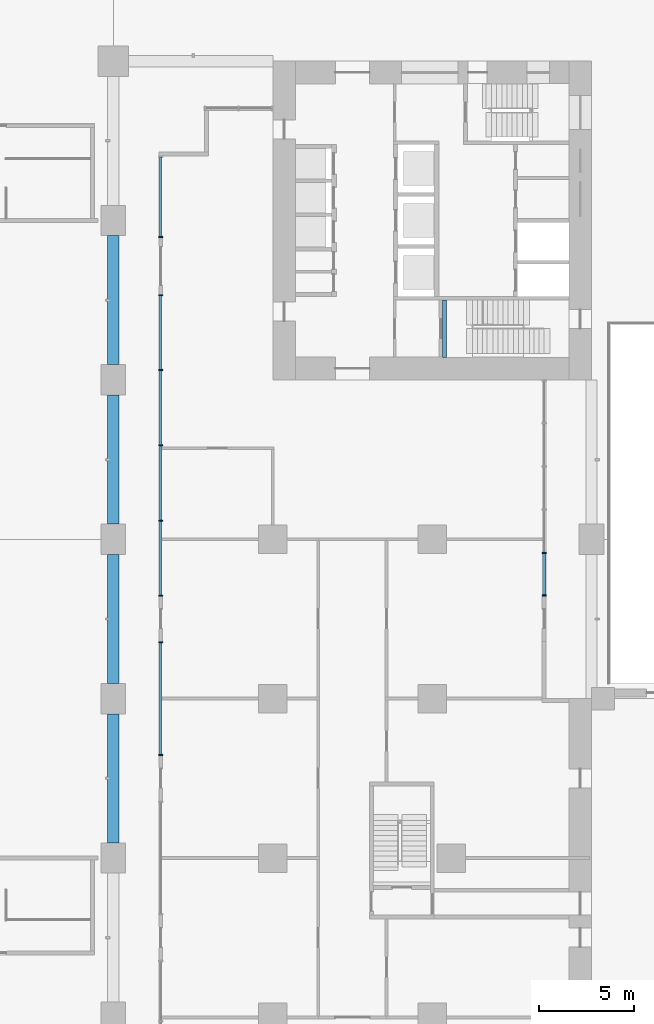
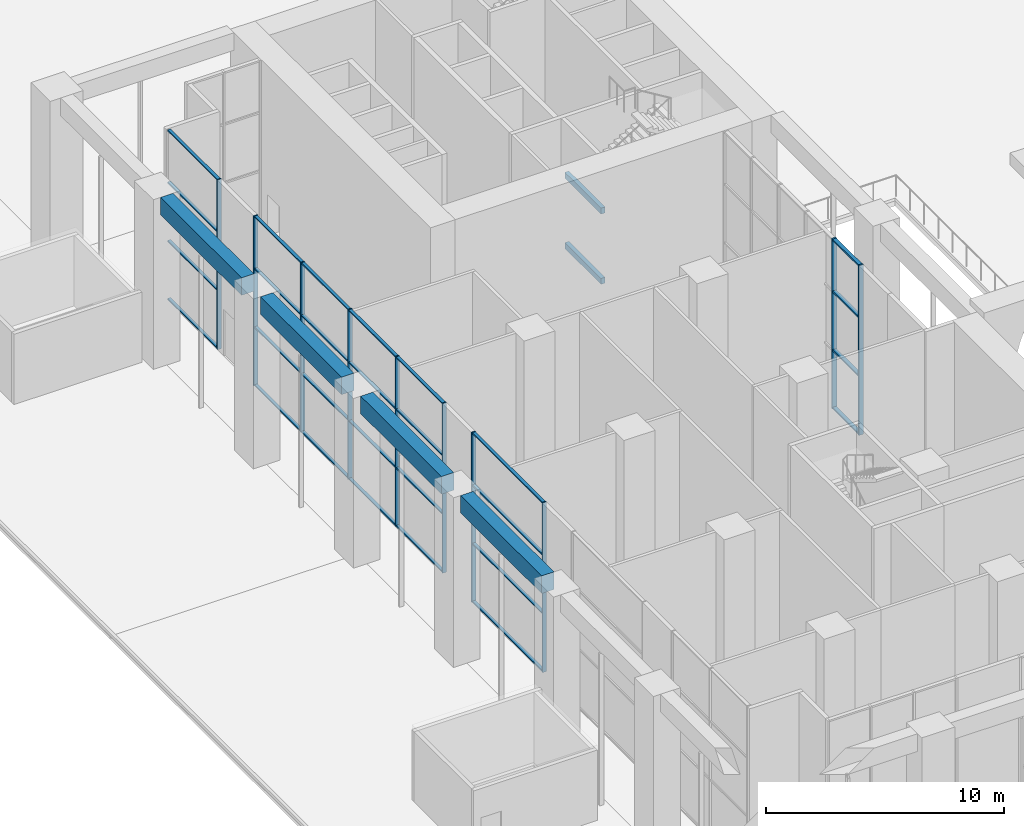
# One storey, part 5 of 46: 38 members, 6 beams, 4 elements without a shape of their own.
"""IFC4 building model written with IfcOpenShell, lengths in metres."""

import ifcopenshell
import ifcopenshell.guid

model = None  # the IFC model being written
_history = None  # IfcOwnerHistory: only IFC2X3 demands one
_inside = {}  # id of a spatial element -> (the spatial element, [elements in it])
_under = {}  # id of a project, library or spatial element -> (it, [spatial elements below it])
_declared = {}  # id of a project -> (the project, [libraries it declares])
_typed = {}  # id of a type object -> (the type object, [elements of that type])
_made_of = {}  # id of a material, layer set ... -> (it, [elements and type objects made of it])


def new_model(schema):
    """Start an empty IFC model of exactly this schema.

    Asked for "IFC4X3", IfcOpenShell would pick the latest addendum, in which some entities
    have other attributes; the version numbers below select the first issue.
    IFC2X3 requires an IfcOwnerHistory on every rooted entity: one is made here for all.
    """
    global model, _history
    if schema == "IFC4X3":
        model = ifcopenshell.file(schema_version=(4, 3, 0, 0))
    else:
        model = ifcopenshell.file(schema=schema)
    _inside.clear()
    _under.clear()
    _declared.clear()
    _typed.clear()
    _made_of.clear()
    _history = None
    if model.schema == "IFC2X3":
        org = make("IfcOrganization", Name="unknown")
        user = make(
            "IfcPersonAndOrganization",
            ThePerson=make("IfcPerson", FamilyName="unknown"),
            TheOrganization=org,
        )
        app = make(
            "IfcApplication",
            ApplicationDeveloper=org,
            Version="unknown",
            ApplicationFullName="unknown",
            ApplicationIdentifier="unknown",
        )
        _history = make(
            "IfcOwnerHistory",
            OwningUser=user,
            OwningApplication=app,
            ChangeAction="ADDED",
            CreationDate=0,
        )
    return model


def make(cls, **values):
    """One entity of the class cls with the attributes given. An attribute that is None is left unset."""
    return model.create_entity(
        cls, **{name: value for name, value in values.items() if value is not None}
    )


def rooted(cls, **values):
    """An entity with a GlobalId (a new one), such as an element, a storey or a relation."""
    return make(cls, GlobalId=ifcopenshell.guid.new(), OwnerHistory=_history, **values)


def si_unit(unit_type, name, prefix=None):
    """IfcSIUnit, for example si_unit("LENGTHUNIT", "METRE", prefix="MILLI")."""
    return make("IfcSIUnit", UnitType=unit_type, Prefix=prefix, Name=name)


def assignment(units):
    """IfcUnitAssignment: the units of a project."""
    return None if units is None else make("IfcUnitAssignment", Units=units)


def point(xyz):
    """IfcCartesianPoint."""
    return None if xyz is None else make("IfcCartesianPoint", Coordinates=xyz)


def direction(xyz):
    """IfcDirection."""
    return None if xyz is None else make("IfcDirection", DirectionRatios=xyz)


def frame(location, z_axis=None, x_axis=None):
    """IfcAxis2Placement3D, a coordinate frame: its origin and axes. An axis left out is left unset."""
    return make(
        "IfcAxis2Placement3D",
        Location=point(location),
        Axis=direction(z_axis),
        RefDirection=direction(x_axis),
    )


def frame_2d(location, x_axis=None):
    """IfcAxis2Placement2D, a coordinate frame in the plane: its origin and x axis."""
    return make(
        "IfcAxis2Placement2D", Location=point(location), RefDirection=direction(x_axis)
    )


def origin():
    """The frame at (0, 0, 0) with its axes left unset."""
    return frame((0.0, 0.0, 0.0))


def origin_2d():
    """The frame at (0, 0) in the plane with its x axis left unset."""
    return frame_2d((0.0, 0.0))


def place(relative_to, where):
    """IfcLocalPlacement: puts the frame where relative to a parent placement (None: the world)."""
    return make(
        "IfcLocalPlacement", PlacementRelTo=relative_to, RelativePlacement=where
    )


def context(
    kind, dimensions, precision=None, world=None, true_north=None, identifier=None
):
    """IfcGeometricRepresentationContext, for example the 3D "Model" context."""
    return make(
        "IfcGeometricRepresentationContext",
        ContextIdentifier=identifier,
        ContextType=kind,
        CoordinateSpaceDimension=dimensions,
        Precision=precision,
        WorldCoordinateSystem=world,
        TrueNorth=true_north,
    )


def subcontext(parent, identifier, kind, view, scale=None):
    """IfcGeometricRepresentationSubContext, for example "Body" below "Model"."""
    return make(
        "IfcGeometricRepresentationSubContext",
        ContextIdentifier=identifier,
        ContextType=kind,
        ParentContext=parent,
        TargetScale=scale,
        TargetView=view,
    )


def project(units=None, contexts=None):
    """IfcProject with its units and contexts."""
    return rooted(
        "IfcProject",
        Name="project",
        RepresentationContexts=contexts,
        UnitsInContext=assignment(units),
    )


def spatial(cls, under=None, at=None, **own):
    """A site, building, storey or space (cls), placed at a placement, below another one or the project."""
    s = rooted(cls, ObjectPlacement=at, **own)
    if under is not None:
        _under.setdefault(under.id(), (under, []))[1].append(s)
    return s


def profile(cls, at=None, kind="AREA", **sizes):
    """A parametric profile (cls). Its sizes go by their IFC names, for example OverallWidth=200.0."""
    return make(cls, ProfileType=kind, Position=at, **sizes)


def rectangle(**sizes):
    """IfcRectangleProfileDef."""
    return profile("IfcRectangleProfileDef", **sizes)


def extrude(swept, where, along, depth):
    """IfcExtrudedAreaSolid: the profile swept, set in the frame where, extruded along a direction by depth."""
    return make(
        "IfcExtrudedAreaSolid",
        SweptArea=swept,
        Position=where,
        ExtrudedDirection=direction(along),
        Depth=depth,
    )


def shape(context_of_items, identifier, shape_type, items):
    """IfcShapeRepresentation: the items that make up one representation, for example the "Body"."""
    return make(
        "IfcShapeRepresentation",
        ContextOfItems=context_of_items,
        RepresentationIdentifier=identifier,
        RepresentationType=shape_type,
        Items=items,
    )


def material(Name=None, Category=None):
    """IfcMaterial."""
    return make("IfcMaterial", Name=Name, Category=Category)


def material_profile(
    of_material, cross_section, Name=None, Category=None, Priority=None
):
    """IfcMaterialProfile: a cross section and its material."""
    return make(
        "IfcMaterialProfile",
        Name=Name,
        Material=of_material,
        Profile=cross_section,
        Priority=Priority,
        Category=Category,
    )


def profile_set(profiles, Name=None, composite=None):
    """IfcMaterialProfileSet."""
    return make(
        "IfcMaterialProfileSet",
        Name=Name,
        MaterialProfiles=profiles,
        CompositeProfile=composite,
    )


def made_of(thing, what):
    """Note that an element or type object is made of a material, layer set ...; save() writes the relation."""
    if what is not None:
        _made_of.setdefault(what.id(), (what, []))[1].append(thing)
    return thing


def type_object(cls, material=None, **own):
    """A type object (cls), such as IfcWallType, which elements share."""
    return made_of(rooted(cls, **own), material)


def element(
    cls,
    number,
    at=None,
    inside=None,
    cuts=None,
    type_object=None,
    material=None,
    context=None,
    identifier="Body",
    shape_type=None,
    held_by="IfcProductDefinitionShape",
    body=None,
    shapes=None,
    **own,
):
    """One element of the class cls, such as IfcWall. Its Tag is "e" and its number.

    at: its placement. inside: the storey or other place that contains it. cuts: it is an
    opening in that element (IfcRelVoidsElement). A single representation is given by context,
    identifier, shape_type and body (its items); several are given by shapes. held_by: the class
    of the entity that holds the representations. save() writes the other relations.
    """
    e = rooted(cls, Tag="e%d" % number, ObjectPlacement=at, **own)
    if body is not None:
        shapes = [shape(context, identifier, shape_type, body)]
    if shapes is not None:
        e.Representation = make(held_by, Representations=shapes)
    if inside is not None:
        _inside.setdefault(inside.id(), (inside, []))[1].append(e)
    if cuts is not None:
        rooted(
            "IfcRelVoidsElement", RelatingBuildingElement=cuts, RelatedOpeningElement=e
        )
    if type_object is not None:
        _typed.setdefault(type_object.id(), (type_object, []))[1].append(e)
    return made_of(e, material)


def aggregate(whole, parts):
    """IfcRelAggregates: a whole, such as a stair, and the parts it consists of."""
    return rooted("IfcRelAggregates", RelatingObject=whole, RelatedObjects=parts)


def save(model, path):
    """Write the relations noted so far, then the file.

    IfcRelAggregates (storeys below a building ...), IfcRelContainedInSpatialStructure (elements
    in a storey), IfcRelDefinesByType, IfcRelAssociatesMaterial and IfcRelDeclares: one each for
    every whole, place, type object, material and project.
    """
    for whole, parts in _under.values():
        aggregate(whole, parts)
    for where, things in _inside.values():
        rooted(
            "IfcRelContainedInSpatialStructure",
            RelatedElements=things,
            RelatingStructure=where,
        )
    for kind, things in _typed.values():
        rooted("IfcRelDefinesByType", RelatedObjects=things, RelatingType=kind)
    for what, things in _made_of.values():
        rooted("IfcRelAssociatesMaterial", RelatedObjects=things, RelatingMaterial=what)
    for by, libraries in _declared.values():
        rooted("IfcRelDeclares", RelatingContext=by, RelatedDefinitions=libraries)
    model.write(path)


model = new_model("IFC4")

# Units and contexts
model_context = context("Model", 3, precision=1e-05, world=origin(), true_north=direction((0.0, 1.0)))
body_context = subcontext(model_context, "Body", "Model", "MODEL_VIEW")
ifc_project = project(units=[si_unit("LENGTHUNIT", "METRE"), si_unit("AREAUNIT", "SQUARE_METRE"), si_unit("VOLUMEUNIT", "CUBIC_METRE"), si_unit("PLANEANGLEUNIT", "RADIAN"), si_unit("MASSUNIT", "GRAM", prefix="KILO")], contexts=[model_context])

# Site, building, storey
site_placement = place(None, origin())
site = spatial("IfcSite", under=ifc_project, at=site_placement, CompositionType="ELEMENT")
building_placement = place(site_placement, origin())
building = spatial("IfcBuilding", under=site, at=building_placement, Name="Vermilion Gate Residences", CompositionType="ELEMENT")
storey_placement = place(building_placement, origin())
storey = spatial("IfcBuildingStorey", under=building, at=storey_placement, Name="L00", CompositionType="ELEMENT", Elevation=0.0)

# Curtain wall, members
ifc_material_1 = material(Name="Aluminium and glass", Category="aluminium")
curtain_wall_type_1 = type_object("IfcCurtainWallType", Name="LOBBY ENTRANCE GLAZING CURTAIN WALL", PredefinedType="NOTDEFINED", material=ifc_material_1)
curtain_wall_1_placement = place(storey_placement, origin())
curtain_wall_1 = element("IfcCurtainWall", 1, at=curtain_wall_1_placement, inside=storey, type_object=curtain_wall_type_1, Name="Lobby Entrance Glazing 82", PredefinedType="NOTDEFINED")
ifc_material_2 = material(Name="Aluminium", Category="aluminium")
ifc_material_profile_1 = material_profile(ifc_material_2, rectangle(XDim=0.219970703125, YDim=0.080078125, at=origin_2d()), Name="MULLION 80 X 220")
ifc_profile_set_1 = profile_set([ifc_material_profile_1], Name="Aluminium")
member_type_1 = type_object("IfcMemberType", Name="LOBBY ENTRANCE GLAZING MULLION 80 X 220", PredefinedType="MULLION", material=ifc_profile_set_1)
member_1_placement = place(storey_placement, frame((22.699951171875, 30.639892578125, 0.0), z_axis=(0.0, 0.0, 1.0), x_axis=(-1.0, 0.0, 0.0)))
member_1 = element("IfcMember", 2, at=member_1_placement, type_object=member_type_1, Name="ECW5 mullion 1", PredefinedType="MULLION", context=body_context, shape_type="SweptSolid", body=[
    extrude(rectangle(XDim=0.219970703125, YDim=0.080078125, at=origin_2d()), origin(), (0.0, 0.0, 1.0), 8.699951171875),
])
member_2_placement = place(storey_placement, frame((22.699951171875, 32.8798828125, 0.0), z_axis=(0.0, 0.0, 1.0), x_axis=(-1.0, 0.0, 0.0)))
member_2 = element("IfcMember", 3, at=member_2_placement, type_object=member_type_1, Name="ECW5 mullion 2", PredefinedType="MULLION", context=body_context, shape_type="SweptSolid", body=[
    extrude(rectangle(XDim=0.219970703125, YDim=0.080078125, at=origin_2d()), origin(), (0.0, 0.0, 1.0), 8.699951171875),
])
ifc_material_3 = material(Name="Aluminium", Category="aluminium")
ifc_material_profile_2 = material_profile(ifc_material_3, rectangle(XDim=0.179931640625, YDim=0.080078125, at=origin_2d()), Name="TRANSOM 80 X 180")
ifc_profile_set_2 = profile_set([ifc_material_profile_2], Name="Aluminium")
member_type_2 = type_object("IfcMemberType", Name="LOBBY ENTRANCE GLAZING TRANSOM 80 X 180", PredefinedType="MULLION", material=ifc_profile_set_2)
member_3_placement = place(storey_placement, frame((22.699951171875, 30.679931640625, 0.0400390625), z_axis=(0.0, 1.0, 0.0), x_axis=(-1.0, 0.0, 0.0)))
member_3 = element("IfcMember", 4, at=member_3_placement, type_object=member_type_2, Name="ECW5 transom 1.1", PredefinedType="MULLION", context=body_context, shape_type="SweptSolid", body=[
    extrude(rectangle(XDim=0.179931640625, YDim=0.080078125, at=origin_2d()), origin(), (0.0, 0.0, 1.0), 2.16015625),
])
member_4_placement = place(storey_placement, frame((22.699951171875, 30.679931640625, 3.0), z_axis=(0.0, 1.0, 0.0), x_axis=(-1.0, 0.0, 0.0)))
member_4 = element("IfcMember", 5, at=member_4_placement, type_object=member_type_2, Name="ECW5 transom 1.2", PredefinedType="MULLION", context=body_context, shape_type="SweptSolid", body=[
    extrude(rectangle(XDim=0.179931640625, YDim=0.080078125, at=origin_2d()), origin(), (0.0, 0.0, 1.0), 2.16015625),
])
member_5_placement = place(storey_placement, frame((22.699951171875, 30.679931640625, 6.0), z_axis=(0.0, 1.0, 0.0), x_axis=(-1.0, 0.0, 0.0)))
member_5 = element("IfcMember", 6, at=member_5_placement, type_object=member_type_2, Name="ECW5 transom 1.3", PredefinedType="MULLION", context=body_context, shape_type="SweptSolid", body=[
    extrude(rectangle(XDim=0.179931640625, YDim=0.080078125, at=origin_2d()), origin(), (0.0, 0.0, 1.0), 2.16015625),
])
member_6_placement = place(storey_placement, frame((22.699951171875, 30.679931640625, 8.659912109375), z_axis=(0.0, 1.0, 0.0), x_axis=(-1.0, 0.0, 0.0)))
member_6 = element("IfcMember", 7, at=member_6_placement, type_object=member_type_2, Name="ECW5 transom 1.4", PredefinedType="MULLION", context=body_context, shape_type="SweptSolid", body=[
    extrude(rectangle(XDim=0.179931640625, YDim=0.080078125, at=origin_2d()), origin(), (0.0, 0.0, 1.0), 2.16015625),
])
aggregate(curtain_wall_1, [member_1, member_2, member_3, member_4, member_5, member_6])

# Curtain wall, member
ifc_material_4 = material(Name="Aluminium and glass", Category="aluminium")
curtain_wall_type_2 = type_object("IfcCurtainWallType", Name="PODIUM SHOPFRONT CURTAIN WALL", PredefinedType="NOTDEFINED", material=ifc_material_4)
curtain_wall_2_placement = place(storey_placement, origin())
curtain_wall_2 = element("IfcCurtainWall", 8, at=curtain_wall_2_placement, inside=storey, type_object=curtain_wall_type_2, Name="Podium Shopfront 30", PredefinedType="NOTDEFINED")
ifc_material_5 = material(Name="Aluminium", Category="aluminium")
ifc_material_profile_3 = material_profile(ifc_material_5, rectangle(XDim=0.199951171875, YDim=0.06005859375, at=origin_2d()), Name="MULLION 60 X 200")
ifc_profile_set_3 = profile_set([ifc_material_profile_3], Name="Aluminium")
member_type_3 = type_object("IfcMemberType", Name="PODIUM SHOPFRONT MULLION 60 X 200", PredefinedType="MULLION", material=ifc_profile_set_3)
member_7_placement = place(storey_placement, frame((2.5, 49.530029296875, 0.0), z_axis=(0.0, 0.0, 1.0), x_axis=(1.0, 0.0, 0.0)))
member_7 = element("IfcMember", 9, at=member_7_placement, type_object=member_type_3, Name="ECW1 mullion 2", PredefinedType="MULLION", context=body_context, shape_type="SweptSolid", body=[
    extrude(rectangle(XDim=0.199951171875, YDim=0.06005859375, at=origin_2d()), origin(), (0.0, 0.0, 1.0), 8.699951171875),
])

# Curtain wall, members
curtain_wall_3_placement = place(storey_placement, origin())
curtain_wall_3 = element("IfcCurtainWall", 10, at=curtain_wall_3_placement, inside=storey, type_object=curtain_wall_type_2, Name="Podium Shopfront 32", PredefinedType="NOTDEFINED")
member_8_placement = place(storey_placement, frame((2.5, 46.469970703125, 0.0), z_axis=(0.0, 0.0, 1.0), x_axis=(1.0, 0.0, 0.0)))
member_8 = element("IfcMember", 11, at=member_8_placement, type_object=member_type_3, Name="ECW1 mullion 1", PredefinedType="MULLION", context=body_context, shape_type="SweptSolid", body=[
    extrude(rectangle(XDim=0.199951171875, YDim=0.06005859375, at=origin_2d()), origin(), (0.0, 0.0, 1.0), 8.699951171875),
])
member_9_placement = place(storey_placement, frame((2.5, 42.52490234375, 0.0), z_axis=(0.0, 0.0, 1.0), x_axis=(1.0, 0.0, 0.0)))
member_9 = element("IfcMember", 12, at=member_9_placement, type_object=member_type_3, Name="ECW1 mullion 2", PredefinedType="MULLION", context=body_context, shape_type="SweptSolid", body=[
    extrude(rectangle(XDim=0.199951171875, YDim=0.06005859375, at=origin_2d()), origin(), (0.0, 0.0, 1.0), 8.699951171875),
])
member_10_placement = place(storey_placement, frame((2.5, 38.550048828125, 0.0), z_axis=(0.0, 0.0, 1.0), x_axis=(1.0, 0.0, 0.0)))
member_10 = element("IfcMember", 13, at=member_10_placement, type_object=member_type_3, Name="ECW1 mullion 3", PredefinedType="MULLION", context=body_context, shape_type="SweptSolid", body=[
    extrude(rectangle(XDim=0.199951171875, YDim=0.06005859375, at=origin_2d()), origin(), (0.0, 0.0, 1.0), 8.699951171875),
])
member_11_placement = place(storey_placement, frame((2.5, 34.574951171875, 0.0), z_axis=(0.0, 0.0, 1.0), x_axis=(1.0, 0.0, 0.0)))
member_11 = element("IfcMember", 14, at=member_11_placement, type_object=member_type_3, Name="ECW1 mullion 4", PredefinedType="MULLION", context=body_context, shape_type="SweptSolid", body=[
    extrude(rectangle(XDim=0.199951171875, YDim=0.06005859375, at=origin_2d()), origin(), (0.0, 0.0, 1.0), 8.699951171875),
])
member_12_placement = place(storey_placement, frame((2.5, 30.6298828125, 0.0), z_axis=(0.0, 0.0, 1.0), x_axis=(1.0, 0.0, 0.0)))
member_12 = element("IfcMember", 15, at=member_12_placement, type_object=member_type_3, Name="ECW1 mullion 5", PredefinedType="MULLION", context=body_context, shape_type="SweptSolid", body=[
    extrude(rectangle(XDim=0.199951171875, YDim=0.06005859375, at=origin_2d()), origin(), (0.0, 0.0, 1.0), 8.699951171875),
])

curtain_wall_4_placement = place(storey_placement, origin())
curtain_wall_4 = element("IfcCurtainWall", 16, at=curtain_wall_4_placement, inside=storey, type_object=curtain_wall_type_2, Name="Podium Shopfront 34", PredefinedType="NOTDEFINED")
member_13_placement = place(storey_placement, frame((2.5, 28.169921875, 0.0), z_axis=(0.0, 0.0, 1.0), x_axis=(1.0, 0.0, 0.0)))
member_13 = element("IfcMember", 17, at=member_13_placement, type_object=member_type_3, Name="ECW1 mullion 1", PredefinedType="MULLION", context=body_context, shape_type="SweptSolid", body=[
    extrude(rectangle(XDim=0.199951171875, YDim=0.06005859375, at=origin_2d()), origin(), (0.0, 0.0, 1.0), 8.699951171875),
])
member_14_placement = place(storey_placement, frame((2.5, 22.22998046875, 0.0), z_axis=(0.0, 0.0, 1.0), x_axis=(1.0, 0.0, 0.0)))
member_14 = element("IfcMember", 18, at=member_14_placement, type_object=member_type_3, Name="ECW1 mullion 2", PredefinedType="MULLION", context=body_context, shape_type="SweptSolid", body=[
    extrude(rectangle(XDim=0.199951171875, YDim=0.06005859375, at=origin_2d()), origin(), (0.0, 0.0, 1.0), 8.699951171875),
])

# Member
ifc_material_6 = material(Name="Aluminium", Category="aluminium")
ifc_material_profile_4 = material_profile(ifc_material_6, rectangle(XDim=0.14990234375, YDim=0.06005859375, at=origin_2d()), Name="TRANSOM 60 X 150")
ifc_profile_set_4 = profile_set([ifc_material_profile_4], Name="Aluminium")
member_type_4 = type_object("IfcMemberType", Name="PODIUM SHOPFRONT TRANSOM 60 X 150", PredefinedType="MULLION", material=ifc_profile_set_4)
member_15_placement = place(storey_placement, frame((2.5, 53.739990234375, 0.030029296875), z_axis=(0.0, -1.0, 0.0), x_axis=(1.0, 0.0, 0.0)))
member_15 = element("IfcMember", 19, at=member_15_placement, type_object=member_type_4, Name="ECW1 transom 1.1", PredefinedType="MULLION", context=body_context, shape_type="SweptSolid", body=[
    extrude(rectangle(XDim=0.14990234375, YDim=0.06005859375, at=origin_2d()), origin(), (0.0, 0.0, 1.0), 4.179931640625),
])

member_16_placement = place(storey_placement, frame((2.5, 53.739990234375, 3.0), z_axis=(0.0, -1.0, 0.0), x_axis=(1.0, 0.0, 0.0)))
member_16 = element("IfcMember", 20, at=member_16_placement, type_object=member_type_4, Name="ECW1 transom 1.2", PredefinedType="MULLION", context=body_context, shape_type="SweptSolid", body=[
    extrude(rectangle(XDim=0.14990234375, YDim=0.06005859375, at=origin_2d()), origin(), (0.0, 0.0, 1.0), 4.179931640625),
])

member_17_placement = place(storey_placement, frame((2.5, 53.739990234375, 6.0), z_axis=(0.0, -1.0, 0.0), x_axis=(1.0, 0.0, 0.0)))
member_17 = element("IfcMember", 21, at=member_17_placement, type_object=member_type_4, Name="ECW1 transom 1.3", PredefinedType="MULLION", context=body_context, shape_type="SweptSolid", body=[
    extrude(rectangle(XDim=0.14990234375, YDim=0.06005859375, at=origin_2d()), origin(), (0.0, 0.0, 1.0), 4.179931640625),
])

member_18_placement = place(storey_placement, frame((2.5, 53.739990234375, 8.669921875), z_axis=(0.0, -1.0, 0.0), x_axis=(1.0, 0.0, 0.0)))
member_18 = element("IfcMember", 22, at=member_18_placement, type_object=member_type_4, Name="ECW1 transom 1.4", PredefinedType="MULLION", context=body_context, shape_type="SweptSolid", body=[
    extrude(rectangle(XDim=0.14990234375, YDim=0.06005859375, at=origin_2d()), origin(), (0.0, 0.0, 1.0), 4.179931640625),
])

aggregate(curtain_wall_2, [member_7, member_15, member_16, member_17, member_18])

member_19_placement = place(storey_placement, frame((2.5, 46.43994140625, 0.030029296875), z_axis=(0.0, -1.0, 0.0), x_axis=(1.0, 0.0, 0.0)))
member_19 = element("IfcMember", 23, at=member_19_placement, type_object=member_type_4, Name="ECW1 transom 1.1", PredefinedType="MULLION", context=body_context, shape_type="SweptSolid", body=[
    extrude(rectangle(XDim=0.14990234375, YDim=0.06005859375, at=origin_2d()), origin(), (0.0, 0.0, 1.0), 3.885009765625),
])

member_20_placement = place(storey_placement, frame((2.5, 46.43994140625, 3.0), z_axis=(0.0, -1.0, 0.0), x_axis=(1.0, 0.0, 0.0)))
member_20 = element("IfcMember", 24, at=member_20_placement, type_object=member_type_4, Name="ECW1 transom 1.2", PredefinedType="MULLION", context=body_context, shape_type="SweptSolid", body=[
    extrude(rectangle(XDim=0.14990234375, YDim=0.06005859375, at=origin_2d()), origin(), (0.0, 0.0, 1.0), 3.885009765625),
])

member_21_placement = place(storey_placement, frame((2.5, 46.43994140625, 6.0), z_axis=(0.0, -1.0, 0.0), x_axis=(1.0, 0.0, 0.0)))
member_21 = element("IfcMember", 25, at=member_21_placement, type_object=member_type_4, Name="ECW1 transom 1.3", PredefinedType="MULLION", context=body_context, shape_type="SweptSolid", body=[
    extrude(rectangle(XDim=0.14990234375, YDim=0.06005859375, at=origin_2d()), origin(), (0.0, 0.0, 1.0), 3.885009765625),
])

member_22_placement = place(storey_placement, frame((2.5, 46.43994140625, 8.669921875), z_axis=(0.0, -1.0, 0.0), x_axis=(1.0, 0.0, 0.0)))
member_22 = element("IfcMember", 26, at=member_22_placement, type_object=member_type_4, Name="ECW1 transom 1.4", PredefinedType="MULLION", context=body_context, shape_type="SweptSolid", body=[
    extrude(rectangle(XDim=0.14990234375, YDim=0.06005859375, at=origin_2d()), origin(), (0.0, 0.0, 1.0), 3.885009765625),
])

member_23_placement = place(storey_placement, frame((2.5, 42.4951171875, 0.030029296875), z_axis=(0.0, -1.0, 0.0), x_axis=(1.0, 0.0, 0.0)))
member_23 = element("IfcMember", 27, at=member_23_placement, type_object=member_type_4, Name="ECW1 transom 2.1", PredefinedType="MULLION", context=body_context, shape_type="SweptSolid", body=[
    extrude(rectangle(XDim=0.14990234375, YDim=0.06005859375, at=origin_2d()), origin(), (0.0, 0.0, 1.0), 3.9150390625),
])

member_24_placement = place(storey_placement, frame((2.5, 42.4951171875, 3.0), z_axis=(0.0, -1.0, 0.0), x_axis=(1.0, 0.0, 0.0)))
member_24 = element("IfcMember", 28, at=member_24_placement, type_object=member_type_4, Name="ECW1 transom 2.2", PredefinedType="MULLION", context=body_context, shape_type="SweptSolid", body=[
    extrude(rectangle(XDim=0.14990234375, YDim=0.06005859375, at=origin_2d()), origin(), (0.0, 0.0, 1.0), 3.9150390625),
])

member_25_placement = place(storey_placement, frame((2.5, 42.4951171875, 6.0), z_axis=(0.0, -1.0, 0.0), x_axis=(1.0, 0.0, 0.0)))
member_25 = element("IfcMember", 29, at=member_25_placement, type_object=member_type_4, Name="ECW1 transom 2.3", PredefinedType="MULLION", context=body_context, shape_type="SweptSolid", body=[
    extrude(rectangle(XDim=0.14990234375, YDim=0.06005859375, at=origin_2d()), origin(), (0.0, 0.0, 1.0), 3.9150390625),
])

member_26_placement = place(storey_placement, frame((2.5, 42.4951171875, 8.669921875), z_axis=(0.0, -1.0, 0.0), x_axis=(1.0, 0.0, 0.0)))
member_26 = element("IfcMember", 30, at=member_26_placement, type_object=member_type_4, Name="ECW1 transom 2.4", PredefinedType="MULLION", context=body_context, shape_type="SweptSolid", body=[
    extrude(rectangle(XDim=0.14990234375, YDim=0.06005859375, at=origin_2d()), origin(), (0.0, 0.0, 1.0), 3.9150390625),
])

member_27_placement = place(storey_placement, frame((2.5, 38.52001953125, 0.030029296875), z_axis=(0.0, -1.0, 0.0), x_axis=(1.0, 0.0, 0.0)))
member_27 = element("IfcMember", 31, at=member_27_placement, type_object=member_type_4, Name="ECW1 transom 3.1", PredefinedType="MULLION", context=body_context, shape_type="SweptSolid", body=[
    extrude(rectangle(XDim=0.14990234375, YDim=0.06005859375, at=origin_2d()), origin(), (0.0, 0.0, 1.0), 3.9150390625),
])

member_28_placement = place(storey_placement, frame((2.5, 38.52001953125, 3.0), z_axis=(0.0, -1.0, 0.0), x_axis=(1.0, 0.0, 0.0)))
member_28 = element("IfcMember", 32, at=member_28_placement, type_object=member_type_4, Name="ECW1 transom 3.2", PredefinedType="MULLION", context=body_context, shape_type="SweptSolid", body=[
    extrude(rectangle(XDim=0.14990234375, YDim=0.06005859375, at=origin_2d()), origin(), (0.0, 0.0, 1.0), 3.9150390625),
])

member_29_placement = place(storey_placement, frame((2.5, 38.52001953125, 6.0), z_axis=(0.0, -1.0, 0.0), x_axis=(1.0, 0.0, 0.0)))
member_29 = element("IfcMember", 33, at=member_29_placement, type_object=member_type_4, Name="ECW1 transom 3.3", PredefinedType="MULLION", context=body_context, shape_type="SweptSolid", body=[
    extrude(rectangle(XDim=0.14990234375, YDim=0.06005859375, at=origin_2d()), origin(), (0.0, 0.0, 1.0), 3.9150390625),
])

member_30_placement = place(storey_placement, frame((2.5, 38.52001953125, 8.669921875), z_axis=(0.0, -1.0, 0.0), x_axis=(1.0, 0.0, 0.0)))
member_30 = element("IfcMember", 34, at=member_30_placement, type_object=member_type_4, Name="ECW1 transom 3.4", PredefinedType="MULLION", context=body_context, shape_type="SweptSolid", body=[
    extrude(rectangle(XDim=0.14990234375, YDim=0.06005859375, at=origin_2d()), origin(), (0.0, 0.0, 1.0), 3.9150390625),
])

member_31_placement = place(storey_placement, frame((2.5, 34.544921875, 0.030029296875), z_axis=(0.0, -1.0, 0.0), x_axis=(1.0, 0.0, 0.0)))
member_31 = element("IfcMember", 35, at=member_31_placement, type_object=member_type_4, Name="ECW1 transom 4.1", PredefinedType="MULLION", context=body_context, shape_type="SweptSolid", body=[
    extrude(rectangle(XDim=0.14990234375, YDim=0.06005859375, at=origin_2d()), origin(), (0.0, 0.0, 1.0), 3.885009765625),
])

member_32_placement = place(storey_placement, frame((2.5, 34.544921875, 3.0), z_axis=(0.0, -1.0, 0.0), x_axis=(1.0, 0.0, 0.0)))
member_32 = element("IfcMember", 36, at=member_32_placement, type_object=member_type_4, Name="ECW1 transom 4.2", PredefinedType="MULLION", context=body_context, shape_type="SweptSolid", body=[
    extrude(rectangle(XDim=0.14990234375, YDim=0.06005859375, at=origin_2d()), origin(), (0.0, 0.0, 1.0), 3.885009765625),
])

member_33_placement = place(storey_placement, frame((2.5, 34.544921875, 6.0), z_axis=(0.0, -1.0, 0.0), x_axis=(1.0, 0.0, 0.0)))
member_33 = element("IfcMember", 37, at=member_33_placement, type_object=member_type_4, Name="ECW1 transom 4.3", PredefinedType="MULLION", context=body_context, shape_type="SweptSolid", body=[
    extrude(rectangle(XDim=0.14990234375, YDim=0.06005859375, at=origin_2d()), origin(), (0.0, 0.0, 1.0), 3.885009765625),
])

member_34_placement = place(storey_placement, frame((2.5, 34.544921875, 8.669921875), z_axis=(0.0, -1.0, 0.0), x_axis=(1.0, 0.0, 0.0)))
member_34 = element("IfcMember", 38, at=member_34_placement, type_object=member_type_4, Name="ECW1 transom 4.4", PredefinedType="MULLION", context=body_context, shape_type="SweptSolid", body=[
    extrude(rectangle(XDim=0.14990234375, YDim=0.06005859375, at=origin_2d()), origin(), (0.0, 0.0, 1.0), 3.885009765625),
])

aggregate(curtain_wall_3, [member_8, member_9, member_10, member_11, member_12, member_19, member_20, member_21, member_22, member_23, member_24, member_25, member_26, member_27, member_28, member_29, member_30, member_31, member_32, member_33, member_34])

member_35_placement = place(storey_placement, frame((2.5, 28.139892578125, 0.030029296875), z_axis=(0.0, -1.0, 0.0), x_axis=(1.0, 0.0, 0.0)))
member_35 = element("IfcMember", 39, at=member_35_placement, type_object=member_type_4, Name="ECW1 transom 1.1", PredefinedType="MULLION", context=body_context, shape_type="SweptSolid", body=[
    extrude(rectangle(XDim=0.14990234375, YDim=0.06005859375, at=origin_2d()), origin(), (0.0, 0.0, 1.0), 5.8798828125),
])

member_36_placement = place(storey_placement, frame((2.5, 28.139892578125, 3.0), z_axis=(0.0, -1.0, 0.0), x_axis=(1.0, 0.0, 0.0)))
member_36 = element("IfcMember", 40, at=member_36_placement, type_object=member_type_4, Name="ECW1 transom 1.2", PredefinedType="MULLION", context=body_context, shape_type="SweptSolid", body=[
    extrude(rectangle(XDim=0.14990234375, YDim=0.06005859375, at=origin_2d()), origin(), (0.0, 0.0, 1.0), 5.8798828125),
])

member_37_placement = place(storey_placement, frame((2.5, 28.139892578125, 6.0), z_axis=(0.0, -1.0, 0.0), x_axis=(1.0, 0.0, 0.0)))
member_37 = element("IfcMember", 41, at=member_37_placement, type_object=member_type_4, Name="ECW1 transom 1.3", PredefinedType="MULLION", context=body_context, shape_type="SweptSolid", body=[
    extrude(rectangle(XDim=0.14990234375, YDim=0.06005859375, at=origin_2d()), origin(), (0.0, 0.0, 1.0), 5.8798828125),
])

member_38_placement = place(storey_placement, frame((2.5, 28.139892578125, 8.669921875), z_axis=(0.0, -1.0, 0.0), x_axis=(1.0, 0.0, 0.0)))
member_38 = element("IfcMember", 42, at=member_38_placement, type_object=member_type_4, Name="ECW1 transom 1.4", PredefinedType="MULLION", context=body_context, shape_type="SweptSolid", body=[
    extrude(rectangle(XDim=0.14990234375, YDim=0.06005859375, at=origin_2d()), origin(), (0.0, 0.0, 1.0), 5.8798828125),
])

aggregate(curtain_wall_4, [member_13, member_14, member_35, member_36, member_37, member_38])

# Beams
ifc_material_7 = material(Name="Concrete C60 red-oxide pigmented", Category="concrete")
ifc_material_profile_5 = material_profile(ifc_material_7, rectangle(XDim=0.60009765625, YDim=0.89990234375, at=origin_2d()), Name="RC-600x900")
ifc_profile_set_5 = profile_set([ifc_material_profile_5], Name="Concrete C60 red-oxide pigmented")
beam_type_1 = type_object("IfcBeamType", Name="RC EDGE BEAM 600 X 900 C60", PredefinedType="BEAM", material=ifc_profile_set_5)
beam_placement = place(storey_placement, frame((0.0, 17.60009765625, 8.25), z_axis=(0.0, 1.0, 0.0), x_axis=(-1.0, 0.0, 0.0)))
element("IfcBeam", 43, at=beam_placement, inside=storey, type_object=beam_type_1, Name="Edge beam L00 4", PredefinedType="BEAM", context=body_context, shape_type="SweptSolid", body=[
    extrude(rectangle(XDim=0.60009765625, YDim=0.89990234375, at=origin_2d()), origin(), (0.0, 0.0, 1.0), 6.7998046875),
])
for number, where, z_axis, x_axis, name in (
    (44, (0.0, 26.0, 8.25), (0.0, 1.0, 0.0), (-1.0, 0.0, 0.0), "Edge beam L00 5"),
    (45, (0.0, 34.39990234375, 8.25), (0.0, 1.0, 0.0), (-1.0, 0.0, 0.0), "Edge beam L00 6"),
    (46, (0.0, 42.800048828125, 8.25), (0.0, 1.0, 0.0), (-1.0, 0.0, 0.0), "Edge beam L00 7"),
):
    element("IfcBeam", number, at=place(storey_placement, frame(where, z_axis=z_axis, x_axis=x_axis)), inside=storey, type_object=beam_type_1, Name=name, PredefinedType="BEAM", context=body_context, shape_type="SweptSolid", body=[
        extrude(rectangle(XDim=0.60009765625, YDim=0.89990234375, at=origin_2d()), origin(), (0.0, 0.0, 1.0), 6.800048828125),
    ])
ifc_material_8 = material(Name="Concrete C50", Category="concrete")
ifc_material_profile_6 = material_profile(ifc_material_8, rectangle(XDim=0.199951171875, YDim=0.300048828125, at=origin_2d()), Name="RC-200x300")
ifc_profile_set_6 = profile_set([ifc_material_profile_6], Name="Concrete C50")
beam_type_2 = type_object("IfcBeamType", Name="RC LANDING BEAM 200 X 300 C50", PredefinedType="BEAM", material=ifc_profile_set_6)
for number, where, z_axis, x_axis, name in (
    (47, (17.449951171875, 46.219970703125, 2.1044921875), (0.0, -1.0, 0.0), (1.0, 0.0, 0.0), "Landing beam STB2-00 1"),
    (48, (17.449951171875, 46.219970703125, 5.70458984375), (0.0, -1.0, 0.0), (1.0, 0.0, 0.0), "Landing beam STB2-00 3"),
):
    element("IfcBeam", number, at=place(storey_placement, frame(where, z_axis=z_axis, x_axis=x_axis)), inside=storey, type_object=beam_type_2, Name=name, PredefinedType="BEAM", context=body_context, shape_type="SweptSolid", body=[
        extrude(rectangle(XDim=0.199951171875, YDim=0.300048828125, at=origin_2d()), origin(), (0.0, 0.0, 1.0), 3.0400390625),
    ])

save(model, "model.ifc")
